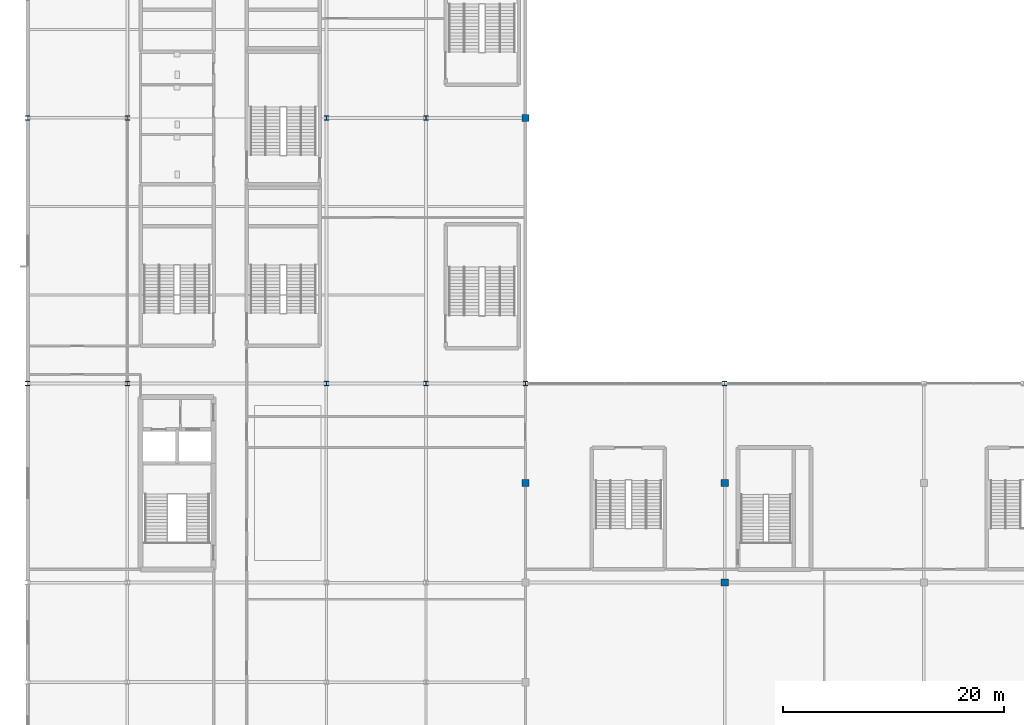
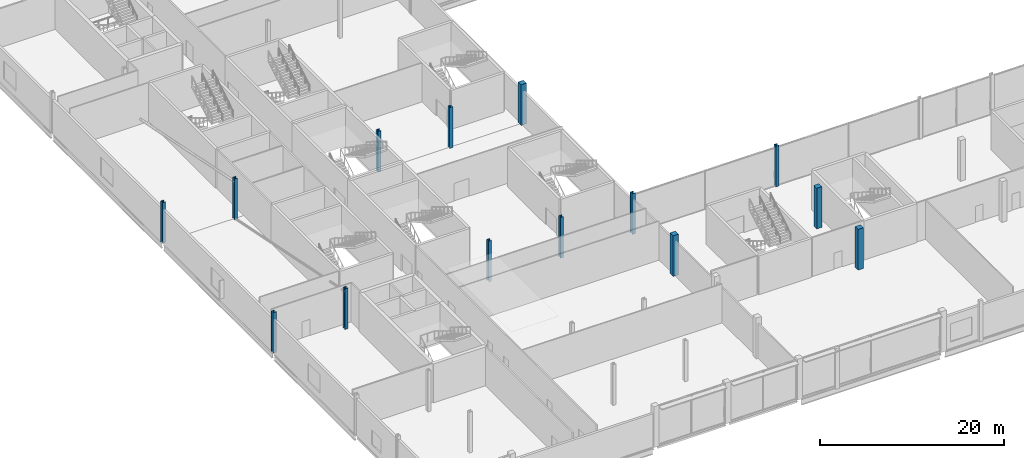
# One storey, part 2 of 111: 14 columns.
"""IFC4 building model written with IfcOpenShell, lengths in metres."""

from ifc_helpers import new_model, si_unit, direction, frame, origin, origin_2d, place, context, subcontext, project, spatial, rectangle, i_section, extrude, material, material_profile, profile_set, type_object, element, save


model = new_model("IFC4")

# Units and contexts
model_context = context("Model", 3, precision=1e-05, world=origin(), true_north=direction((0.0, 1.0)))
body_context = subcontext(model_context, "Body", "Model", "MODEL_VIEW")
ifc_project = project(units=[si_unit("LENGTHUNIT", "METRE"), si_unit("AREAUNIT", "SQUARE_METRE"), si_unit("VOLUMEUNIT", "CUBIC_METRE"), si_unit("PLANEANGLEUNIT", "RADIAN"), si_unit("MASSUNIT", "GRAM", prefix="KILO")], contexts=[model_context])

# Site, building, storey
site_placement = place(None, origin())
site = spatial("IfcSite", under=ifc_project, at=site_placement, CompositionType="ELEMENT")
building_placement = place(site_placement, origin())
building = spatial("IfcBuilding", under=site, at=building_placement, Name="Kisiwana Market Hall", CompositionType="ELEMENT")
storey_placement = place(building_placement, frame((0.0, 0.0, 11.39990234375)))
storey = spatial("IfcBuildingStorey", under=building, at=storey_placement, Name="L02", CompositionType="ELEMENT", Elevation=11.39990234375)

# Columns
ifc_material_1 = material(Name="Concrete C40/50", Category="concrete")
ifc_material_profile_1 = material_profile(ifc_material_1, rectangle(XDim=0.64990234375, YDim=0.64990234375, at=origin_2d()), Name="RC 650x650")
ifc_profile_set_1 = profile_set([ifc_material_profile_1], Name="Concrete C40/50")
column_type_1 = type_object("IfcColumnType", Name="COL-RC-POD-650", PredefinedType="COLUMN", material=ifc_profile_set_1)
for number, where, z_axis, x_axis, name in (
    (1, (45.0, 27.0, 0.0), (0.0, 0.0, 1.0), (1.0, 0.0, 0.0), "Column D/6 (L02) C-0547"),
    (2, (45.0, 60.0, 0.0), (0.0, 0.0, 1.0), (1.0, 0.0, 0.0), "Column H/6 (L02) C-0549"),
    (3, (63.0, 18.0, 0.0), (0.0, 0.0, 1.0), (1.0, 0.0, 0.0), "Column C/8 (L02) C-0556"),
    (4, (63.0, 27.0, 0.0), (0.0, 0.0, 1.0), (1.0, 0.0, 0.0), "Column D/8 (L02) C-0557"),
):
    element("IfcColumn", number, at=place(storey_placement, frame(where, z_axis=z_axis, x_axis=x_axis)), inside=storey, type_object=column_type_1, Name=name, PredefinedType="COLUMN", context=body_context, shape_type="SweptSolid", body=[
        extrude(rectangle(XDim=0.64990234375, YDim=0.64990234375, at=origin_2d()), origin(), (0.0, 0.0, 1.0), 5.400146484375),
    ])
ifc_material_2 = material(Name="Steel S355", Category="steel")
ifc_material_profile_2 = material_profile(ifc_material_2, i_section(OverallWidth=0.406005859375, OverallDepth=0.416015625, WebThickness=0.02978515625, FlangeThickness=0.048095703125, at=origin_2d()), Name="HD 400x382")
ifc_profile_set_2 = profile_set([ifc_material_profile_2], Name="Steel S355")
column_type_2 = type_object("IfcColumnType", Name="COL-STL-HD382", PredefinedType="COLUMN", material=ifc_profile_set_2)
for number, where, z_axis, x_axis, name in (
    (5, (0.0, 36.0, 0.0), (0.0, 0.0, 1.0), (1.0, 0.0, 0.0), "Column E/1 (L02) C-0513"),
    (6, (0.0, 60.0, 0.0), (0.0, 0.0, 1.0), (1.0, 0.0, 0.0), "Column H/1 (L02) C-0514"),
    (7, (9.0, 36.0, 0.0), (0.0, 0.0, 1.0), (1.0, 0.0, 0.0), "Column E/2 (L02) C-0522"),
    (8, (27.0, 36.0, 0.0), (0.0, 0.0, 1.0), (1.0, 0.0, 0.0), "Column E/4 (L02) C-0530"),
    (9, (27.0, 60.0, 0.0), (0.0, 0.0, 1.0), (1.0, 0.0, 0.0), "Column H/4 (L02) C-0531"),
    (10, (36.0, 36.0, 0.0), (0.0, 0.0, 1.0), (1.0, 0.0, 0.0), "Column E/5 (L02) C-0539"),
    (11, (9.0, 60.0, 0.0), (0.0, 0.0, 1.0), (1.0, 0.0, 0.0), "Column H/2 (L02) C-0506"),
    (12, (36.0, 60.0, 0.0), (0.0, 0.0, 1.0), (1.0, 0.0, 0.0), "Column H/5 (L02) C-0507"),
):
    element("IfcColumn", number, at=place(storey_placement, frame(where, z_axis=z_axis, x_axis=x_axis)), inside=storey, type_object=column_type_2, Name=name, PredefinedType="COLUMN", context=body_context, shape_type="SweptSolid", body=[
        extrude(i_section(OverallWidth=0.406005859375, OverallDepth=0.416015625, WebThickness=0.02978515625, FlangeThickness=0.048095703125, at=origin_2d()), origin(), (0.0, 0.0, 1.0), 5.400146484375),
    ])
ifc_material_3 = material(Name="Steel S355", Category="steel")
ifc_material_profile_3 = material_profile(ifc_material_3, i_section(OverallWidth=0.412109375, OverallDepth=0.43505859375, WebThickness=0.035888671875, FlangeThickness=0.05810546875, at=origin_2d()), Name="HD 400x463")
ifc_profile_set_3 = profile_set([ifc_material_profile_3], Name="Steel S355")
column_type_3 = type_object("IfcColumnType", Name="COL-STL-HD463", PredefinedType="COLUMN", material=ifc_profile_set_3)
for number, where, z_axis, x_axis, name in (
    (13, (45.0, 36.0, 0.0), (0.0, 0.0, 1.0), (1.0, 0.0, 0.0), "Column E/6 (L02) C-0548"),
    (14, (63.0, 36.0, 0.0), (0.0, 0.0, 1.0), (1.0, 0.0, 0.0), "Column E/8 (L02) C-0558"),
):
    element("IfcColumn", number, at=place(storey_placement, frame(where, z_axis=z_axis, x_axis=x_axis)), inside=storey, type_object=column_type_3, Name=name, PredefinedType="COLUMN", context=body_context, shape_type="SweptSolid", body=[
        extrude(i_section(OverallWidth=0.412109375, OverallDepth=0.43505859375, WebThickness=0.035888671875, FlangeThickness=0.05810546875, at=origin_2d()), origin(), (0.0, 0.0, 1.0), 5.400146484375),
    ])

save(model, "model.ifc")
